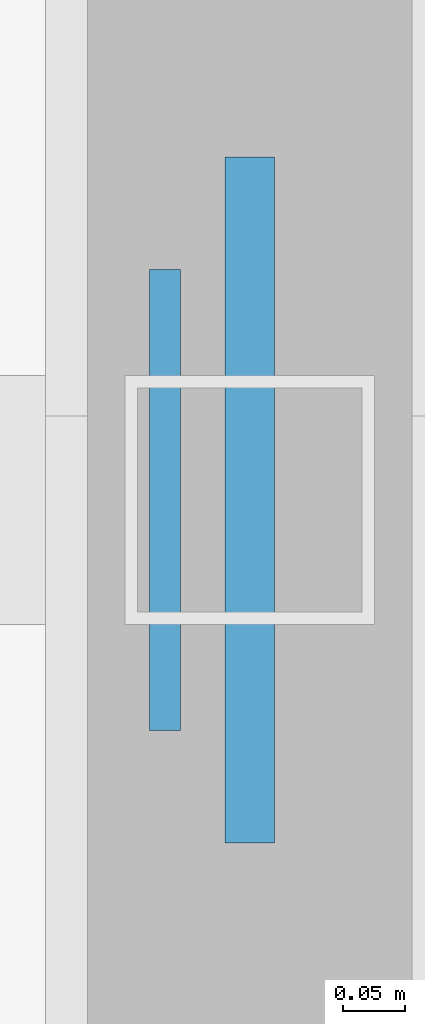
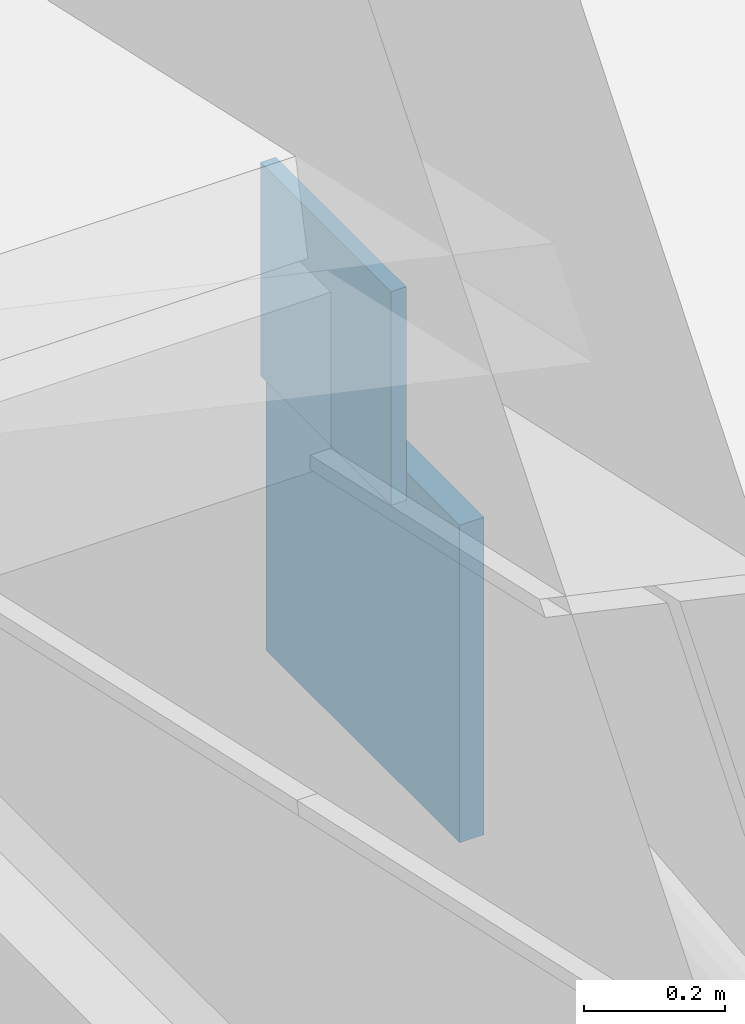
# One storey, part 107 of 151: 2 plates.
"""IFC4 building model written with IfcOpenShell, lengths in metres."""

from ifc_helpers import new_model, si_unit, direction, frame, origin, origin_2d, place, context, subcontext, project, spatial, rectangle, extrude, material, layer, layer_set, type_object, element, save


model = new_model("IFC4")

# Units and contexts
model_context = context("Model", 3, precision=1e-05, world=origin(), true_north=direction((0.0, 1.0)))
body_context = subcontext(model_context, "Body", "Model", "MODEL_VIEW")
ifc_project = project(units=[si_unit("LENGTHUNIT", "METRE"), si_unit("AREAUNIT", "SQUARE_METRE"), si_unit("VOLUMEUNIT", "CUBIC_METRE"), si_unit("PLANEANGLEUNIT", "RADIAN"), si_unit("MASSUNIT", "GRAM", prefix="KILO")], contexts=[model_context])

# Site, building, storey
site_placement = place(None, origin())
site = spatial("IfcSite", under=ifc_project, at=site_placement, CompositionType="ELEMENT")
building_placement = place(site_placement, origin())
building = spatial("IfcBuilding", under=site, at=building_placement, Name="Celestram Park Convention Centre", CompositionType="ELEMENT")
storey_placement = place(building_placement, frame((0.0, 0.0, 10.800048828125)))
storey = spatial("IfcBuildingStorey", under=building, at=storey_placement, Name="L02", CompositionType="ELEMENT", Elevation=10.800048828125)

# Plates
ifc_material = material(Name="Steel ASTM A572 Grade 50", Category="steel")
ifc_layer_1 = layer(ifc_material, 0.02490234375)
ifc_layer_set_1 = layer_set([ifc_layer_1], Name="Steel ASTM A572 Grade 50")
plate_type_1 = type_object("IfcPlateType", Name="STR-PLT-EC350", PredefinedType="USERDEFINED", material=ifc_layer_set_1)
plate_1_placement = place(storey_placement, frame((35.931884765625, 132.0, 1.106689453125), z_axis=(0.0, 0.0, 1.0), x_axis=(0.0, 1.0, 0.0)))
element("IfcPlate", 1, at=plate_1_placement, inside=storey, type_object=plate_type_1, Name="HSS purlin end closure cap plate EC-L02-186", ObjectType="GUSSET_PLATE", PredefinedType="USERDEFINED", context=body_context, shape_type="SweptSolid", body=[
    extrude(rectangle(XDim=0.3701171875, YDim=0.02490234375, at=origin_2d()), origin(), (0.0, 0.0, 1.0), 0.3701171875),
])
ifc_layer_2 = layer(ifc_material, 0.0400390625)
ifc_layer_set_2 = layer_set([ifc_layer_2], Name="Steel ASTM A572 Grade 50")
plate_type_2 = type_object("IfcPlateType", Name="STR-PLT-GP40", PredefinedType="USERDEFINED", material=ifc_layer_set_2)
plate_2_placement = place(storey_placement, frame((36.0, 132.0, 0.5556640625), z_axis=(0.0, 0.0, 1.0), x_axis=(0.0, 1.0, 0.0)))
element("IfcPlate", 2, at=plate_2_placement, inside=storey, type_object=plate_type_2, Name="WPV truss node gusset plate", ObjectType="GUSSET_PLATE", PredefinedType="USERDEFINED", context=body_context, shape_type="SweptSolid", body=[
    extrude(rectangle(XDim=0.550048828125, YDim=0.0400390625, at=origin_2d()), origin(), (0.0, 0.0, 1.0), 0.550048828125),
])

save(model, "model.ifc")
